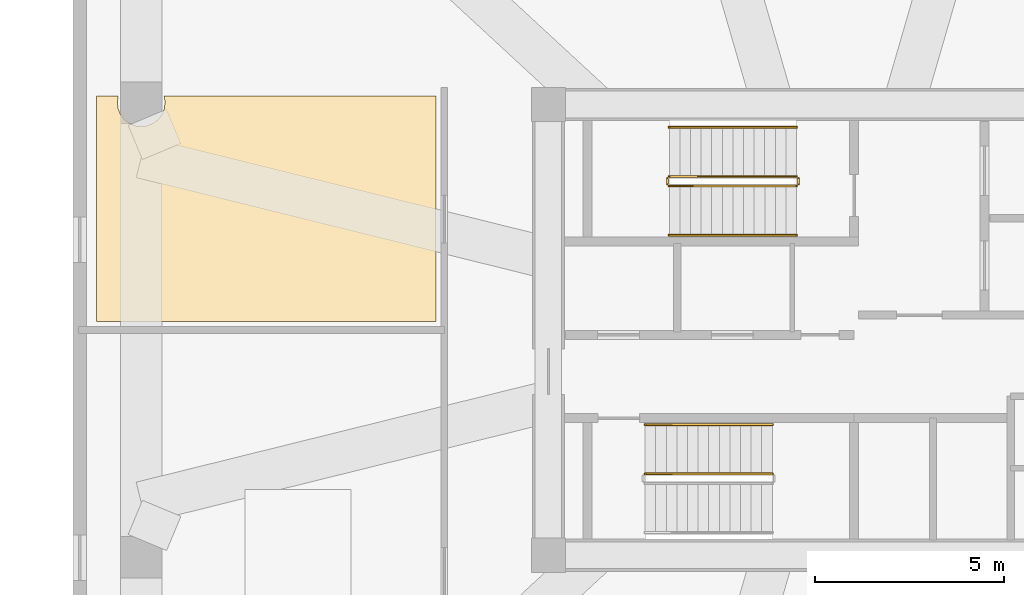
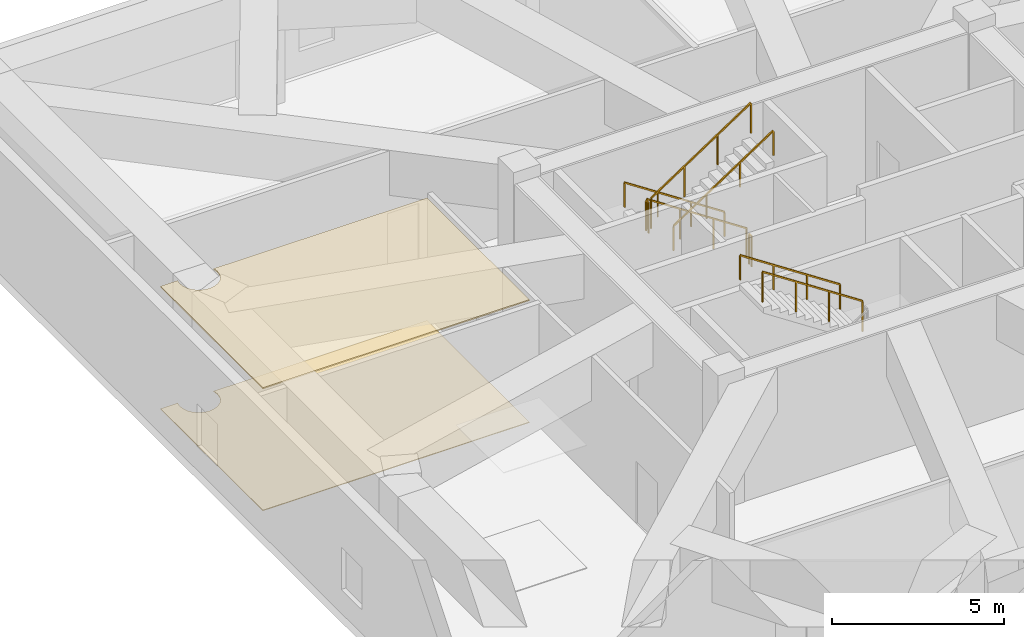
# One storey, part 15 of 21: 8 railings, 2 coverings.
"""IFC4 building model written with IfcOpenShell, lengths in metres."""

from ifc_helpers import new_model, si_unit, direction, frame, origin, origin_2d, place, context, subcontext, project, spatial, polyline, rectangle, outline, extrude, material, layer, layer_set, type_object, element, save


model = new_model("IFC4")

# Units and contexts
model_context = context("Model", 3, precision=1e-05, world=origin(), true_north=direction((0.0, 1.0)))
body_context = subcontext(model_context, "Body", "Model", "MODEL_VIEW")
ifc_project = project(units=[si_unit("LENGTHUNIT", "METRE"), si_unit("AREAUNIT", "SQUARE_METRE"), si_unit("VOLUMEUNIT", "CUBIC_METRE"), si_unit("PLANEANGLEUNIT", "RADIAN"), si_unit("MASSUNIT", "GRAM", prefix="KILO")], contexts=[model_context])

# Site, building, storey
site_placement = place(None, origin())
site = spatial("IfcSite", under=ifc_project, at=site_placement, CompositionType="ELEMENT")
building_placement = place(site_placement, origin())
building = spatial("IfcBuilding", under=site, at=building_placement, Name="Norrkilde Senior Care Towers", CompositionType="ELEMENT")
storey_placement = place(building_placement, frame((0.0, 0.0, 16.800048828125)))
storey = spatial("IfcBuildingStorey", under=building, at=storey_placement, Name="L04", CompositionType="ELEMENT", Elevation=16.800048828125)

# Coverings
ifc_material_1 = material(Name="Nordic Ash Timber", Category="wood")
ifc_layer_1 = layer(ifc_material_1, 0.044921875)
ifc_layer_set_1 = layer_set([ifc_layer_1], Name="Nordic Ash Timber")
covering_type_1 = type_object("IfcCoveringType", Name="Acoustic Ash Timber Slatted Ceiling 45", PredefinedType="CEILING", material=ifc_layer_set_1)
covering_1_placement = place(storey_placement, frame((0.0, 0.0, 4.3349609375)))
element("IfcCovering", 1, at=covering_1_placement, inside=storey, type_object=covering_type_1, Name="L04 Suspended Ceiling 0097", PredefinedType="CEILING", context=body_context, shape_type="SweptSolid", body=[
    extrude(outline(polyline([(-38.6201171875, 0.219970703125), (-47.580078125, 0.219970703125), (-47.580078125, 6.179931640625), (-47.00146484375, 6.179931640625), (-47.008544921875, 6.1630859375), (-47.030029296875, 6.0), (-47.008544921875, 5.8369140625), (-46.945556640625, 5.68505859375), (-46.845458984375, 5.554443359375), (-46.715087890625, 5.454345703125), (-46.56298828125, 5.391357421875), (-46.39990234375, 5.3701171875), (-46.237060546875, 5.391357421875), (-46.0849609375, 5.454345703125), (-45.95458984375, 5.554443359375), (-45.8544921875, 5.68505859375), (-45.79150390625, 5.8369140625), (-45.77001953125, 6.0), (-45.79150390625, 6.1630859375), (-45.798583984375, 6.179931640625), (-38.6201171875, 6.179931640625), (-38.6201171875, 0.219970703125)])), origin(), (0.0, 0.0, 1.0), 0.044921875),
])
ifc_material_2 = material(Name="Slip-Resistant Porcelain Stone", Category="masonry")
ifc_layer_2 = layer(ifc_material_2, 0.02490234375)
ifc_layer_set_2 = layer_set([ifc_layer_2], Name="Slip-Resistant Porcelain Stone")
covering_type_2 = type_object("IfcCoveringType", Name="Slip-Resistant Porcelain Flooring 25", PredefinedType="FLOORING", material=ifc_layer_set_2)
covering_2_placement = place(storey_placement, origin())
element("IfcCovering", 2, at=covering_2_placement, inside=storey, type_object=covering_type_2, Name="L04 Floor Finish 0097", PredefinedType="FLOORING", context=body_context, shape_type="SweptSolid", body=[
    extrude(outline(polyline([(-38.6201171875, 0.219970703125), (-47.580078125, 0.219970703125), (-47.580078125, 6.179931640625), (-47.00146484375, 6.179931640625), (-47.008544921875, 6.1630859375), (-47.030029296875, 6.0), (-47.008544921875, 5.8369140625), (-46.945556640625, 5.68505859375), (-46.845458984375, 5.554443359375), (-46.715087890625, 5.454345703125), (-46.56298828125, 5.391357421875), (-46.39990234375, 5.3701171875), (-46.237060546875, 5.391357421875), (-46.0849609375, 5.454345703125), (-45.95458984375, 5.554443359375), (-45.8544921875, 5.68505859375), (-45.79150390625, 5.8369140625), (-45.77001953125, 6.0), (-45.79150390625, 6.1630859375), (-45.798583984375, 6.179931640625), (-38.6201171875, 6.179931640625), (-38.6201171875, 0.219970703125)])), origin(), (0.0, 0.0, 1.0), 0.02490234375),
])

# Railings
ifc_material_3 = material(Name="Stainless Steel", Category="steel")
railing_type_1 = type_object("IfcRailingType", Name="Stair and Terrace Guardrail 1100", PredefinedType="GUARDRAIL", material=ifc_material_3)
railing_1_placement = place(storey_placement, frame((-29.10009765625, 4.050048828125, 0.1845703125)))
element("IfcRailing", 3, at=railing_1_placement, inside=storey, type_object=railing_type_1, Name="L04 ST-W1 stair guard 1", PredefinedType="GUARDRAIL", context=body_context, shape_type="SweptSolid", body=[
    extrude(rectangle(XDim=0.048095703125, YDim=0.048095703125, at=origin_2d()), frame((0.0, 0.0, 1.076171875), z_axis=(-0.834858096282, 0.0, 0.550465220583), x_axis=(0.0, -1.0, 0.0)), (0.0, 0.0, 1.0), 4.0244140625),
    extrude(rectangle(XDim=0.0419921875, YDim=0.0419921875, at=origin_2d()), origin(), (0.0, 0.0, 1.0), 1.050048828125),
    extrude(rectangle(XDim=0.0419921875, YDim=0.0419921875, at=origin_2d()), frame((-1.119873046875, 0.0, 0.738525390625)), (0.0, 0.0, 1.0), 1.050048828125),
    extrude(rectangle(XDim=0.0419921875, YDim=0.0419921875, at=origin_2d()), frame((-2.239990234375, 0.0, 1.476806640625)), (0.0, 0.0, 1.0), 1.050048828125),
    extrude(rectangle(XDim=0.0419921875, YDim=0.0419921875, at=origin_2d()), frame((-3.35986328125, 0.0, 2.21533203125)), (0.0, 0.0, 1.0), 1.050048828125),
])
railing_2_placement = place(storey_placement, frame((-32.510009765625, 4.0, 2.39990234375)))
element("IfcRailing", 4, at=railing_2_placement, inside=storey, type_object=railing_type_1, Name="L04 ST-W1 stair guard 2", PredefinedType="GUARDRAIL", context=body_context, shape_type="SweptSolid", body=[
    extrude(rectangle(XDim=0.048095703125, YDim=0.048095703125, at=origin_2d()), frame((0.0, 0.0, 1.076171875), z_axis=(0.0, -1.0, 0.0), x_axis=(1.0, 0.0, 0.0)), (0.0, 0.0, 1.0), 0.14990234375),
    extrude(rectangle(XDim=0.0419921875, YDim=0.0419921875, at=origin_2d()), origin(), (0.0, 0.0, 1.0), 1.050048828125),
    extrude(rectangle(XDim=0.0419921875, YDim=0.0419921875, at=origin_2d()), frame((0.0, -0.14990234375, 0.0)), (0.0, 0.0, 1.0), 1.050048828125),
])
railing_3_placement = place(storey_placement, frame((-32.4599609375, 3.800048828125, 2.58447265625)))
element("IfcRailing", 5, at=railing_3_placement, inside=storey, type_object=railing_type_1, Name="L04 ST-W1 stair guard 3", PredefinedType="GUARDRAIL", context=body_context, shape_type="SweptSolid", body=[
    extrude(rectangle(XDim=0.048095703125, YDim=0.048095703125, at=origin_2d()), frame((0.0, 0.0, 1.076171875), z_axis=(0.83483021737, 0.0, 0.550507500554), x_axis=(0.0, 1.0, 0.0)), (0.0, 0.0, 1.0), 4.024658203125),
    extrude(rectangle(XDim=0.0419921875, YDim=0.0419921875, at=origin_2d()), origin(), (0.0, 0.0, 1.0), 1.050048828125),
    extrude(rectangle(XDim=0.0419921875, YDim=0.0419921875, at=origin_2d()), frame((1.119873046875, 0.0, 0.738525390625)), (0.0, 0.0, 1.0), 1.050048828125),
    extrude(rectangle(XDim=0.0419921875, YDim=0.0419921875, at=origin_2d()), frame((2.239990234375, 0.0, 1.47705078125)), (0.0, 0.0, 1.0), 1.050048828125),
    extrude(rectangle(XDim=0.0419921875, YDim=0.0419921875, at=origin_2d()), frame((3.35986328125, 0.0, 2.215576171875)), (0.0, 0.0, 1.0), 1.050048828125),
])
railing_4_placement = place(storey_placement, frame((-29.050048828125, 4.0, 0.0)))
element("IfcRailing", 6, at=railing_4_placement, inside=storey, type_object=railing_type_1, Name="L04 ST-W1 stair guard 4", PredefinedType="GUARDRAIL", context=body_context, shape_type="SweptSolid", body=[
    extrude(rectangle(XDim=0.048095703125, YDim=0.048095703125, at=origin_2d()), frame((0.0, 0.0, 1.076171875), z_axis=(0.0, -1.0, 0.0), x_axis=(1.0, 0.0, 0.0)), (0.0, 0.0, 1.0), 0.14990234375),
    extrude(rectangle(XDim=0.0419921875, YDim=0.0419921875, at=origin_2d()), origin(), (0.0, 0.0, 1.0), 1.050048828125),
    extrude(rectangle(XDim=0.0419921875, YDim=0.0419921875, at=origin_2d()), frame((0.0, -0.14990234375, 0.0)), (0.0, 0.0, 1.0), 1.050048828125),
])
railing_5_placement = place(storey_placement, frame((-29.739990234375, -3.800048828125, 2.58447265625)))
element("IfcRailing", 7, at=railing_5_placement, inside=storey, type_object=railing_type_1, Name="L04 ST-W2 stair guard 3", PredefinedType="GUARDRAIL", context=body_context, shape_type="SweptSolid", body=[
    extrude(rectangle(XDim=0.048095703125, YDim=0.048095703125, at=origin_2d()), frame((0.0, 0.0, 1.076171875), z_axis=(-0.834848600103, 0.0, 0.550479622607), x_axis=(0.0, -1.0, 0.0)), (0.0, 0.0, 1.0), 4.02490234375),
    extrude(rectangle(XDim=0.0419921875, YDim=0.0419921875, at=origin_2d()), origin(), (0.0, 0.0, 1.0), 1.050048828125),
    extrude(rectangle(XDim=0.0419921875, YDim=0.0419921875, at=origin_2d()), frame((-1.1201171875, 0.0, 0.738525390625)), (0.0, 0.0, 1.0), 1.050048828125),
    extrude(rectangle(XDim=0.0419921875, YDim=0.0419921875, at=origin_2d()), frame((-2.239990234375, 0.0, 1.47705078125)), (0.0, 0.0, 1.0), 1.050048828125),
    extrude(rectangle(XDim=0.0419921875, YDim=0.0419921875, at=origin_2d()), frame((-3.360107421875, 0.0, 2.215576171875)), (0.0, 0.0, 1.0), 1.050048828125),
])
railing_type_2 = type_object("IfcRailingType", Name="Wall and Stair Handrail 900", PredefinedType="HANDRAIL", material=ifc_material_1)
railing_6_placement = place(storey_placement, frame((-29.10009765625, 5.35009765625, 0.1845703125)))
element("IfcRailing", 8, at=railing_6_placement, inside=storey, type_object=railing_type_2, Name="L04 ST-W1 stair handrail 1", PredefinedType="HANDRAIL", context=body_context, shape_type="SweptSolid", body=[
    extrude(rectangle(XDim=0.048095703125, YDim=0.048095703125, at=origin_2d()), frame((0.0, 0.0, 0.8759765625), z_axis=(-0.834858096282, 0.0, 0.550465220583), x_axis=(0.0, -1.0, 0.0)), (0.0, 0.0, 1.0), 4.0244140625),
    extrude(rectangle(XDim=0.0419921875, YDim=0.0419921875, at=origin_2d()), origin(), (0.0, 0.0, 1.0), 0.849853515625),
    extrude(rectangle(XDim=0.0419921875, YDim=0.0419921875, at=origin_2d()), frame((-1.119873046875, 0.0, 0.738525390625)), (0.0, 0.0, 1.0), 0.849853515625),
    extrude(rectangle(XDim=0.0419921875, YDim=0.0419921875, at=origin_2d()), frame((-2.239990234375, 0.0, 1.476806640625)), (0.0, 0.0, 1.0), 0.849853515625),
    extrude(rectangle(XDim=0.0419921875, YDim=0.0419921875, at=origin_2d()), frame((-3.35986328125, 0.0, 2.21533203125)), (0.0, 0.0, 1.0), 0.849853515625),
])
railing_7_placement = place(storey_placement, frame((-32.4599609375, 2.5, 2.58447265625)))
element("IfcRailing", 9, at=railing_7_placement, inside=storey, type_object=railing_type_2, Name="L04 ST-W1 stair handrail 2", PredefinedType="HANDRAIL", context=body_context, shape_type="SweptSolid", body=[
    extrude(rectangle(XDim=0.048095703125, YDim=0.048095703125, at=origin_2d()), frame((0.0, 0.0, 0.8759765625), z_axis=(0.83483021737, 0.0, 0.550507500554), x_axis=(0.0, 1.0, 0.0)), (0.0, 0.0, 1.0), 4.024658203125),
    extrude(rectangle(XDim=0.0419921875, YDim=0.0419921875, at=origin_2d()), origin(), (0.0, 0.0, 1.0), 0.849853515625),
    extrude(rectangle(XDim=0.0419921875, YDim=0.0419921875, at=origin_2d()), frame((1.119873046875, 0.0, 0.738525390625)), (0.0, 0.0, 1.0), 0.849853515625),
    extrude(rectangle(XDim=0.0419921875, YDim=0.0419921875, at=origin_2d()), frame((2.239990234375, 0.0, 1.47705078125)), (0.0, 0.0, 1.0), 0.849853515625),
    extrude(rectangle(XDim=0.0419921875, YDim=0.0419921875, at=origin_2d()), frame((3.35986328125, 0.0, 2.215576171875)), (0.0, 0.0, 1.0), 0.849853515625),
])
railing_8_placement = place(storey_placement, frame((-29.739990234375, -2.5, 2.58447265625)))
element("IfcRailing", 10, at=railing_8_placement, inside=storey, type_object=railing_type_2, Name="L04 ST-W2 stair handrail 2", PredefinedType="HANDRAIL", context=body_context, shape_type="SweptSolid", body=[
    extrude(rectangle(XDim=0.048095703125, YDim=0.048095703125, at=origin_2d()), frame((0.0, 0.0, 0.8759765625), z_axis=(-0.834848600103, 0.0, 0.550479622607), x_axis=(0.0, -1.0, 0.0)), (0.0, 0.0, 1.0), 4.02490234375),
    extrude(rectangle(XDim=0.0419921875, YDim=0.0419921875, at=origin_2d()), origin(), (0.0, 0.0, 1.0), 0.849853515625),
    extrude(rectangle(XDim=0.0419921875, YDim=0.0419921875, at=origin_2d()), frame((-1.1201171875, 0.0, 0.738525390625)), (0.0, 0.0, 1.0), 0.849853515625),
    extrude(rectangle(XDim=0.0419921875, YDim=0.0419921875, at=origin_2d()), frame((-2.239990234375, 0.0, 1.47705078125)), (0.0, 0.0, 1.0), 0.849853515625),
    extrude(rectangle(XDim=0.0419921875, YDim=0.0419921875, at=origin_2d()), frame((-3.360107421875, 0.0, 2.215576171875)), (0.0, 0.0, 1.0), 0.849853515625),
])

save(model, "model.ifc")
